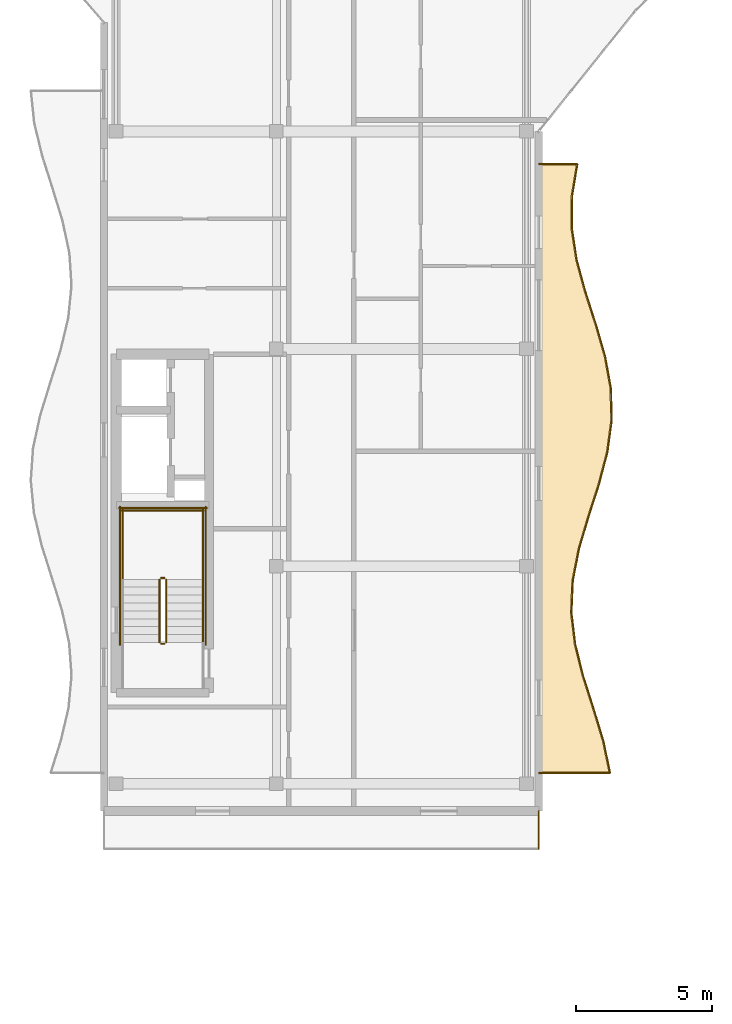
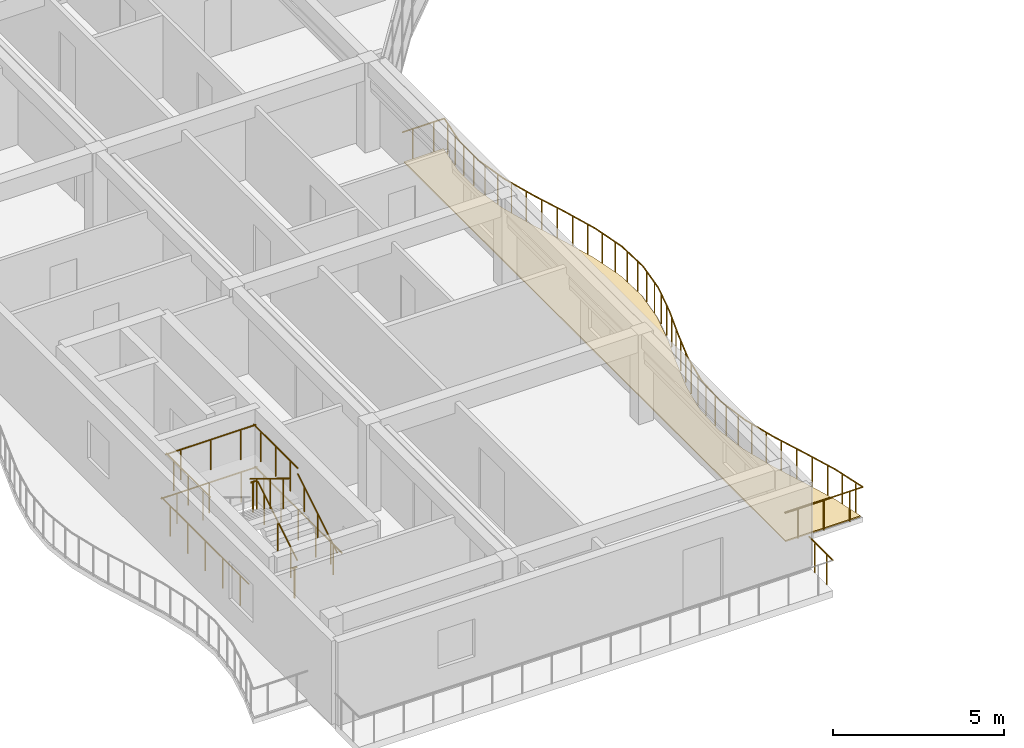
# One storey, part 32 of 39: 33 railings, 1 covering.
"""IFC4 building model written with IfcOpenShell, lengths in metres."""

from ifc_helpers import new_model, si_unit, direction, frame, origin, origin_2d, place, context, subcontext, project, spatial, polyline, circle, outline, extrude, material, layer, layer_set, type_object, element, save


model = new_model("IFC4")

# Units and contexts
model_context = context("Model", 3, precision=1e-05, world=origin(), true_north=direction((0.0, 1.0)))
body_context = subcontext(model_context, "Body", "Model", "MODEL_VIEW")
ifc_project = project(units=[si_unit("LENGTHUNIT", "METRE"), si_unit("AREAUNIT", "SQUARE_METRE"), si_unit("VOLUMEUNIT", "CUBIC_METRE"), si_unit("PLANEANGLEUNIT", "RADIAN"), si_unit("MASSUNIT", "GRAM", prefix="KILO")], contexts=[model_context])

# Site, building, storey
site_placement = place(None, origin())
site = spatial("IfcSite", under=ifc_project, at=site_placement, CompositionType="ELEMENT")
building_placement = place(site_placement, origin())
building = spatial("IfcBuilding", under=site, at=building_placement, Name="Keldmere Railside Commons", CompositionType="ELEMENT")
storey_placement = place(building_placement, frame((0.0, 0.0, 32.9599609375)))
storey = spatial("IfcBuildingStorey", under=building, at=storey_placement, Name="L10", CompositionType="ELEMENT", Elevation=32.9599609375)

# Railings
ifc_material_1 = material(Name="Steel F-24 (S235)", Category="steel")
railing_type_1 = type_object("IfcRailingType", Name="Balcony & Terrace Steel Balustrade 1100", PredefinedType="BALUSTRADE", material=ifc_material_1)
railing_1_placement = place(storey_placement, frame((120.0, 64.39990234375, 0.0)))
element("IfcRailing", 1, at=railing_1_placement, inside=storey, type_object=railing_type_1, Name="GR-1 GRD-L10-2984", PredefinedType="BALUSTRADE", context=body_context, shape_type="SweptSolid", body=[
    extrude(circle(Radius=0.02392578125, at=origin_2d()), frame((0.0, 0.0, 1.076171875), z_axis=(1.0, 0.0, 0.0), x_axis=(0.0, 1.0, 0.0)), (0.0, 0.0, 1.0), 2.626708984375),
    extrude(circle(Radius=0.02099609375, at=origin_2d()), frame((0.437744140625, 0.0, 0.0)), (0.0, 0.0, 1.0), 1.048095703125),
    extrude(circle(Radius=0.02099609375, at=origin_2d()), frame((1.3134765625, 0.0, 0.0)), (0.0, 0.0, 1.0), 1.048095703125),
    extrude(circle(Radius=0.02099609375, at=origin_2d()), frame((2.18896484375, 0.0, 0.0)), (0.0, 0.0, 1.0), 1.048095703125),
])
railing_2_placement = place(storey_placement, frame((122.626708984375, 64.39990234375, 0.0)))
element("IfcRailing", 2, at=railing_2_placement, inside=storey, type_object=railing_type_1, Name="GR-1 GRD-L10-2985", PredefinedType="BALUSTRADE", context=body_context, shape_type="SweptSolid", body=[
    extrude(circle(Radius=0.02392578125, at=origin_2d()), frame((0.0, 0.0, 1.076171875), z_axis=(-0.204917343909, 0.978779281639, 0.0), x_axis=(-0.978779281639, -0.204917343909, 0.0)), (0.0, 0.0, 1.0), 1.20458984375),
    extrude(circle(Radius=0.02099609375, at=origin_2d()), frame((-0.061767578125, 0.294677734375, 0.0)), (0.0, 0.0, 1.0), 1.048095703125),
    extrude(circle(Radius=0.02099609375, at=origin_2d()), frame((-0.18505859375, 0.88427734375, 0.0)), (0.0, 0.0, 1.0), 1.048095703125),
])
railing_3_placement = place(storey_placement, frame((122.3798828125, 65.578857421875, 0.0)))
element("IfcRailing", 3, at=railing_3_placement, inside=storey, type_object=railing_type_1, Name="GR-1 GRD-L10-2986", PredefinedType="BALUSTRADE", context=body_context, shape_type="SweptSolid", body=[
    extrude(circle(Radius=0.02392578125, at=origin_2d()), frame((0.0, 0.0, 1.076171875), z_axis=(-0.290491323198, 0.956877626004, 0.0), x_axis=(-0.956877626004, -0.290491323198, 0.0)), (0.0, 0.0, 1.0), 1.232177734375),
    extrude(circle(Radius=0.02099609375, at=origin_2d()), frame((-0.08935546875, 0.294677734375, 0.0)), (0.0, 0.0, 1.0), 1.048095703125),
    extrude(circle(Radius=0.02099609375, at=origin_2d()), frame((-0.2685546875, 0.88427734375, 0.0)), (0.0, 0.0, 1.0), 1.048095703125),
])
railing_4_placement = place(storey_placement, frame((122.02197265625, 66.7578125, 0.0)))
element("IfcRailing", 4, at=railing_4_placement, inside=storey, type_object=railing_type_1, Name="GR-1 GRD-L10-2987", PredefinedType="BALUSTRADE", context=body_context, shape_type="SweptSolid", body=[
    extrude(circle(Radius=0.02392578125, at=origin_2d()), frame((0.0, 0.0, 1.076171875), z_axis=(-0.304367729057, 0.95255461025, 0.0), x_axis=(-0.95255461025, -0.304367729057, 0.0)), (0.0, 0.0, 1.0), 1.23779296875),
    extrude(circle(Radius=0.02099609375, at=origin_2d()), frame((-0.09423828125, 0.294677734375, 0.0)), (0.0, 0.0, 1.0), 1.048095703125),
    extrude(circle(Radius=0.02099609375, at=origin_2d()), frame((-0.282470703125, 0.88427734375, 0.0)), (0.0, 0.0, 1.0), 1.048095703125),
])
railing_5_placement = place(storey_placement, frame((121.645263671875, 67.936767578125, 0.0)))
element("IfcRailing", 5, at=railing_5_placement, inside=storey, type_object=railing_type_1, Name="GR-1 GRD-L10-2988", PredefinedType="BALUSTRADE", context=body_context, shape_type="SweptSolid", body=[
    extrude(circle(Radius=0.02392578125, at=origin_2d()), frame((0.0, 0.0, 1.076171875), z_axis=(-0.24494416398, 0.969537186771, 0.0), x_axis=(-0.969537186771, -0.24494416398, 0.0)), (0.0, 0.0, 1.0), 1.216064453125),
    extrude(circle(Radius=0.02099609375, at=origin_2d()), frame((-0.074462890625, 0.294677734375, 0.0)), (0.0, 0.0, 1.0), 1.048095703125),
    extrude(circle(Radius=0.02099609375, at=origin_2d()), frame((-0.223388671875, 0.88427734375, 0.0)), (0.0, 0.0, 1.0), 1.048095703125),
])
railing_6_placement = place(storey_placement, frame((121.347412109375, 69.11572265625, 0.0)))
element("IfcRailing", 6, at=railing_6_placement, inside=storey, type_object=railing_type_1, Name="GR-1 GRD-L10-2989", PredefinedType="BALUSTRADE", context=body_context, shape_type="SweptSolid", body=[
    extrude(circle(Radius=0.02392578125, at=origin_2d()), frame((0.0, 0.0, 1.076171875), z_axis=(-0.119250616582, 0.992864185297, 0.0), x_axis=(-0.992864185297, -0.119250616582, 0.0)), (0.0, 0.0, 1.0), 1.1875),
    extrude(circle(Radius=0.02099609375, at=origin_2d()), frame((-0.035400390625, 0.294677734375, 0.0)), (0.0, 0.0, 1.0), 1.048095703125),
    extrude(circle(Radius=0.02099609375, at=origin_2d()), frame((-0.106201171875, 0.88427734375, 0.0)), (0.0, 0.0, 1.0), 1.048095703125),
])
railing_7_placement = place(storey_placement, frame((121.205810546875, 70.294677734375, 0.0)))
element("IfcRailing", 7, at=railing_7_placement, inside=storey, type_object=railing_type_1, Name="GR-1 GRD-L10-2990", PredefinedType="BALUSTRADE", context=body_context, shape_type="SweptSolid", body=[
    extrude(circle(Radius=0.02392578125, at=origin_2d()), frame((0.0, 0.0, 1.076171875), z_axis=(0.043033198945, 0.999073642825, 0.0), x_axis=(-0.999073642825, 0.043033198945, 0.0)), (0.0, 0.0, 1.0), 1.179931640625),
    extrude(circle(Radius=0.02099609375, at=origin_2d()), frame((0.0126953125, 0.294677734375, 0.0)), (0.0, 0.0, 1.0), 1.048095703125),
    extrude(circle(Radius=0.02099609375, at=origin_2d()), frame((0.0380859375, 0.88427734375, 0.0)), (0.0, 0.0, 1.0), 1.048095703125),
])
railing_8_placement = place(storey_placement, frame((121.256591796875, 71.4736328125, 0.0)))
element("IfcRailing", 8, at=railing_8_placement, inside=storey, type_object=railing_type_1, Name="GR-1 GRD-L10-2991", PredefinedType="BALUSTRADE", context=body_context, shape_type="SweptSolid", body=[
    extrude(circle(Radius=0.02392578125, at=origin_2d()), frame((0.0, 0.0, 1.076171875), z_axis=(0.191658392876, 0.98146169586, 0.0), x_axis=(-0.98146169586, 0.191658392876, 0.0)), (0.0, 0.0, 1.0), 1.201171875),
    extrude(circle(Radius=0.02099609375, at=origin_2d()), frame((0.0576171875, 0.294677734375, 0.0)), (0.0, 0.0, 1.0), 1.048095703125),
    extrude(circle(Radius=0.02099609375, at=origin_2d()), frame((0.172607421875, 0.88427734375, 0.0)), (0.0, 0.0, 1.0), 1.048095703125),
])
railing_9_placement = place(storey_placement, frame((121.48681640625, 72.652587890625, 0.0)))
element("IfcRailing", 9, at=railing_9_placement, inside=storey, type_object=railing_type_1, Name="GR-1 GRD-L10-2992", PredefinedType="BALUSTRADE", context=body_context, shape_type="SweptSolid", body=[
    extrude(circle(Radius=0.02392578125, at=origin_2d()), frame((0.0, 0.0, 1.076171875), z_axis=(0.284851963388, 0.95857152, 0.0), x_axis=(-0.95857152, 0.284851963388, 0.0)), (0.0, 0.0, 1.0), 1.22998046875),
    extrude(circle(Radius=0.02099609375, at=origin_2d()), frame((0.087646484375, 0.294677734375, 0.0)), (0.0, 0.0, 1.0), 1.048095703125),
    extrude(circle(Radius=0.02099609375, at=origin_2d()), frame((0.2626953125, 0.88427734375, 0.0)), (0.0, 0.0, 1.0), 1.048095703125),
])
railing_10_placement = place(storey_placement, frame((121.837158203125, 73.83154296875, 0.0)))
element("IfcRailing", 10, at=railing_10_placement, inside=storey, type_object=railing_type_1, Name="GR-1 GRD-L10-2993", PredefinedType="BALUSTRADE", context=body_context, shape_type="SweptSolid", body=[
    extrude(circle(Radius=0.02392578125, at=origin_2d()), frame((0.0, 0.0, 1.076171875), z_axis=(0.306334592191, 0.951923903275, 0.0), x_axis=(-0.951923903275, 0.306334592191, 0.0)), (0.0, 0.0, 1.0), 1.238525390625),
    extrude(circle(Radius=0.02099609375, at=origin_2d()), frame((0.0947265625, 0.294677734375, 0.0)), (0.0, 0.0, 1.0), 1.048095703125),
    extrude(circle(Radius=0.02099609375, at=origin_2d()), frame((0.28466796875, 0.88427734375, 0.0)), (0.0, 0.0, 1.0), 1.048095703125),
])
railing_11_placement = place(storey_placement, frame((122.216552734375, 75.010498046875, 0.0)))
element("IfcRailing", 11, at=railing_11_placement, inside=storey, type_object=railing_type_1, Name="GR-1 GRD-L10-2994", PredefinedType="BALUSTRADE", context=body_context, shape_type="SweptSolid", body=[
    extrude(circle(Radius=0.02392578125, at=origin_2d()), frame((0.0, 0.0, 1.076171875), z_axis=(0.25472000197, 0.967014850246, 0.0), x_axis=(-0.967014850246, 0.25472000197, 0.0)), (0.0, 0.0, 1.0), 1.21923828125),
    extrude(circle(Radius=0.02099609375, at=origin_2d()), frame((0.07763671875, 0.294677734375, 0.0)), (0.0, 0.0, 1.0), 1.048095703125),
    extrude(circle(Radius=0.02099609375, at=origin_2d()), frame((0.23291015625, 0.88427734375, 0.0)), (0.0, 0.0, 1.0), 1.048095703125),
])
railing_12_placement = place(storey_placement, frame((122.527099609375, 76.189453125, 0.0)))
element("IfcRailing", 12, at=railing_12_placement, inside=storey, type_object=railing_type_1, Name="GR-1 GRD-L10-2995", PredefinedType="BALUSTRADE", context=body_context, shape_type="SweptSolid", body=[
    extrude(circle(Radius=0.02392578125, at=origin_2d()), frame((0.0, 0.0, 1.076171875), z_axis=(0.13521392142, 0.990816428737, 0.0), x_axis=(-0.990816428737, 0.13521392142, 0.0)), (0.0, 0.0, 1.0), 1.18994140625),
    extrude(circle(Radius=0.02099609375, at=origin_2d()), frame((0.040283203125, 0.294677734375, 0.0)), (0.0, 0.0, 1.0), 1.048095703125),
    extrude(circle(Radius=0.02099609375, at=origin_2d()), frame((0.12060546875, 0.88427734375, 0.0)), (0.0, 0.0, 1.0), 1.048095703125),
])
railing_13_placement = place(storey_placement, frame((122.68798828125, 77.368408203125, 0.0)))
element("IfcRailing", 13, at=railing_13_placement, inside=storey, type_object=railing_type_1, Name="GR-1 GRD-L10-2996", PredefinedType="BALUSTRADE", context=body_context, shape_type="SweptSolid", body=[
    extrude(circle(Radius=0.02392578125, at=origin_2d()), frame((0.0, 0.0, 1.076171875), z_axis=(-0.025255971026, 0.999681017089, 0.0), x_axis=(-0.999681017089, -0.025255971026, 0.0)), (0.0, 0.0, 1.0), 1.179443359375),
    extrude(circle(Radius=0.02099609375, at=origin_2d()), frame((-0.00732421875, 0.294677734375, 0.0)), (0.0, 0.0, 1.0), 1.048095703125),
    extrude(circle(Radius=0.02099609375, at=origin_2d()), frame((-0.0224609375, 0.88427734375, 0.0)), (0.0, 0.0, 1.0), 1.048095703125),
])
railing_14_placement = place(storey_placement, frame((122.658203125, 78.54736328125, 0.0)))
element("IfcRailing", 14, at=railing_14_placement, inside=storey, type_object=railing_type_1, Name="GR-1 GRD-L10-2997", PredefinedType="BALUSTRADE", context=body_context, shape_type="SweptSolid", body=[
    extrude(circle(Radius=0.02392578125, at=origin_2d()), frame((0.0, 0.0, 1.076171875), z_axis=(-0.17809637705, 0.984013048939, 0.0), x_axis=(-0.984013048939, -0.17809637705, 0.0)), (0.0, 0.0, 1.0), 1.197998046875),
    extrude(circle(Radius=0.02099609375, at=origin_2d()), frame((-0.05322265625, 0.294677734375, 0.0)), (0.0, 0.0, 1.0), 1.048095703125),
    extrude(circle(Radius=0.02099609375, at=origin_2d()), frame((-0.16015625, 0.88427734375, 0.0)), (0.0, 0.0, 1.0), 1.048095703125),
])
railing_15_placement = place(storey_placement, frame((122.44482421875, 79.726318359375, 0.0)))
element("IfcRailing", 15, at=railing_15_placement, inside=storey, type_object=railing_type_1, Name="GR-1 GRD-L10-2998", PredefinedType="BALUSTRADE", context=body_context, shape_type="SweptSolid", body=[
    extrude(circle(Radius=0.02392578125, at=origin_2d()), frame((0.0, 0.0, 1.076171875), z_axis=(-0.278082225796, 0.960557273512, 0.0), x_axis=(-0.960557273512, -0.278082225796, 0.0)), (0.0, 0.0, 1.0), 1.227294921875),
    extrude(circle(Radius=0.02099609375, at=origin_2d()), frame((-0.08544921875, 0.294677734375, 0.0)), (0.0, 0.0, 1.0), 1.048095703125),
    extrude(circle(Radius=0.02099609375, at=origin_2d()), frame((-0.255859375, 0.88427734375, 0.0)), (0.0, 0.0, 1.0), 1.048095703125),
])
railing_16_placement = place(storey_placement, frame((122.103515625, 80.9052734375, 0.0)))
element("IfcRailing", 16, at=railing_16_placement, inside=storey, type_object=railing_type_1, Name="GR-1 GRD-L10-2999", PredefinedType="BALUSTRADE", context=body_context, shape_type="SweptSolid", body=[
    extrude(circle(Radius=0.02392578125, at=origin_2d()), frame((0.0, 0.0, 1.076171875), z_axis=(-0.307584194607, 0.951520868519, 0.0), x_axis=(-0.951520868519, -0.307584194607, 0.0)), (0.0, 0.0, 1.0), 1.239013671875),
    extrude(circle(Radius=0.02099609375, at=origin_2d()), frame((-0.09521484375, 0.294677734375, 0.0)), (0.0, 0.0, 1.0), 1.048095703125),
    extrude(circle(Radius=0.02099609375, at=origin_2d()), frame((-0.285888671875, 0.88427734375, 0.0)), (0.0, 0.0, 1.0), 1.048095703125),
])
railing_17_placement = place(storey_placement, frame((121.722412109375, 82.084228515625, 0.0)))
element("IfcRailing", 17, at=railing_17_placement, inside=storey, type_object=railing_type_1, Name="GR-1 GRD-L10-3000", PredefinedType="BALUSTRADE", context=body_context, shape_type="SweptSolid", body=[
    extrude(circle(Radius=0.02392578125, at=origin_2d()), frame((0.0, 0.0, 1.076171875), z_axis=(-0.263489255377, 0.964662330715, 0.0), x_axis=(-0.964662330715, -0.263489255377, 0.0)), (0.0, 0.0, 1.0), 1.22216796875),
    extrude(circle(Radius=0.02099609375, at=origin_2d()), frame((-0.08056640625, 0.294677734375, 0.0)), (0.0, 0.0, 1.0), 1.048095703125),
    extrude(circle(Radius=0.02099609375, at=origin_2d()), frame((-0.241455078125, 0.88427734375, 0.0)), (0.0, 0.0, 1.0), 1.048095703125),
])
railing_18_placement = place(storey_placement, frame((121.400390625, 83.26318359375, 0.0)))
element("IfcRailing", 18, at=railing_18_placement, inside=storey, type_object=railing_type_1, Name="GR-1 GRD-L10-3001", PredefinedType="BALUSTRADE", context=body_context, shape_type="SweptSolid", body=[
    extrude(circle(Radius=0.02392578125, at=origin_2d()), frame((0.0, 0.0, 1.076171875), z_axis=(-0.150872586631, 0.98855321688, 0.0), x_axis=(-0.98855321688, -0.150872586631, 0.0)), (0.0, 0.0, 1.0), 1.192626953125),
    extrude(circle(Radius=0.02099609375, at=origin_2d()), frame((-0.044921875, 0.294677734375, 0.0)), (0.0, 0.0, 1.0), 1.048095703125),
    extrude(circle(Radius=0.02099609375, at=origin_2d()), frame((-0.135009765625, 0.88427734375, 0.0)), (0.0, 0.0, 1.0), 1.048095703125),
])
railing_19_placement = place(storey_placement, frame((121.220458984375, 84.442138671875, 0.0)))
element("IfcRailing", 19, at=railing_19_placement, inside=storey, type_object=railing_type_1, Name="GR-1 GRD-L10-3002", PredefinedType="BALUSTRADE", context=body_context, shape_type="SweptSolid", body=[
    extrude(circle(Radius=0.02392578125, at=origin_2d()), frame((0.0, 0.0, 1.076171875), z_axis=(0.007661816933, 0.99997064785, 0.0), x_axis=(-0.99997064785, 0.007661816933, 0.0)), (0.0, 0.0, 1.0), 1.178955078125),
    extrude(circle(Radius=0.02099609375, at=origin_2d()), frame((0.002197265625, 0.294677734375, 0.0)), (0.0, 0.0, 1.0), 1.048095703125),
    extrude(circle(Radius=0.02099609375, at=origin_2d()), frame((0.0068359375, 0.88427734375, 0.0)), (0.0, 0.0, 1.0), 1.048095703125),
])
railing_20_placement = place(storey_placement, frame((121.2294921875, 85.62109375, 0.0)))
element("IfcRailing", 20, at=railing_20_placement, inside=storey, type_object=railing_type_1, Name="GR-1 GRD-L10-3003", PredefinedType="BALUSTRADE", context=body_context, shape_type="SweptSolid", body=[
    extrude(circle(Radius=0.02392578125, at=origin_2d()), frame((0.0, 0.0, 1.076171875), z_axis=(0.16343815799, 0.986553581167, 0.0), x_axis=(-0.986553581167, 0.16343815799, 0.0)), (0.0, 0.0, 1.0), 1.195068359375),
    extrude(circle(Radius=0.02099609375, at=origin_2d()), frame((0.048828125, 0.294677734375, 0.0)), (0.0, 0.0, 1.0), 1.048095703125),
    extrude(circle(Radius=0.02099609375, at=origin_2d()), frame((0.146484375, 0.88427734375, 0.0)), (0.0, 0.0, 1.0), 1.048095703125),
])
railing_21_placement = place(storey_placement, frame((121.4248046875, 86.800048828125, 0.0)))
element("IfcRailing", 21, at=railing_21_placement, inside=storey, type_object=railing_type_1, Name="GR-1 GRD-L10-3004", PredefinedType="BALUSTRADE", context=body_context, shape_type="SweptSolid", body=[
    extrude(circle(Radius=0.02392578125, at=origin_2d()), frame((0.0, 0.0, 1.076171875), z_axis=(-1.0, 0.0, 0.0), x_axis=(0.0, -1.0, 0.0)), (0.0, 0.0, 1.0), 1.4248046875),
    extrude(circle(Radius=0.02099609375, at=origin_2d()), frame((-0.356201171875, 0.0, 0.0)), (0.0, 0.0, 1.0), 1.048095703125),
    extrude(circle(Radius=0.02099609375, at=origin_2d()), frame((-1.068603515625, 0.0, 0.0)), (0.0, 0.0, 1.0), 1.048095703125),
])
railing_22_placement = place(storey_placement, frame((120.0, 61.60009765625, 0.0)))
element("IfcRailing", 22, at=railing_22_placement, inside=storey, type_object=railing_type_1, Name="GR-1 GRD-L10-3052", PredefinedType="BALUSTRADE", context=body_context, shape_type="SweptSolid", body=[
    extrude(circle(Radius=0.02392578125, at=origin_2d()), frame((0.0, 0.0, 1.076171875), z_axis=(0.0, 1.0, 0.0), x_axis=(-1.0, 0.0, 0.0)), (0.0, 0.0, 1.0), 1.39990234375),
    extrude(circle(Radius=0.02099609375, at=origin_2d()), frame((0.0, 0.35009765625, 0.0)), (0.0, 0.0, 1.0), 1.048095703125),
    extrude(circle(Radius=0.02099609375, at=origin_2d()), frame((0.0, 1.0498046875, 0.0)), (0.0, 0.0, 1.0), 1.048095703125),
])
railing_type_2 = type_object("IfcRailingType", Name="Stair Well Steel Guardrail 1100", PredefinedType="BALUSTRADE", material=ifc_material_1)
railing_23_placement = place(storey_placement, frame((106.300048828125, 69.199951171875, 0.177734375)))
element("IfcRailing", 23, at=railing_23_placement, inside=storey, type_object=railing_type_2, Name="L10 ST-B1 stair guard 1", PredefinedType="BALUSTRADE", context=body_context, shape_type="SweptSolid", body=[
    extrude(circle(Radius=0.02392578125, at=origin_2d()), frame((0.0, 0.0, 1.076171875), z_axis=(0.0, 0.852538067394, 0.522665135287), x_axis=(-1.0, 0.0, 0.0)), (0.0, 0.0, 1.0), 2.721435546875),
    extrude(circle(Radius=0.02099609375, at=origin_2d()), frame((0.0, 0.38671875, 0.237060546875)), (0.0, 0.0, 1.0), 1.048095703125),
    extrude(circle(Radius=0.02099609375, at=origin_2d()), frame((0.0, 1.16015625, 0.711181640625)), (0.0, 0.0, 1.0), 1.048095703125),
    extrude(circle(Radius=0.02099609375, at=origin_2d()), frame((0.0, 1.933349609375, 1.185302734375)), (0.0, 0.0, 1.0), 1.048095703125),
])
railing_24_placement = place(storey_placement, frame((106.25, 71.570068359375, 1.60009765625)))
element("IfcRailing", 24, at=railing_24_placement, inside=storey, type_object=railing_type_2, Name="L10 ST-B1 stair guard 2", PredefinedType="BALUSTRADE", context=body_context, shape_type="SweptSolid", body=[
    extrude(circle(Radius=0.02392578125, at=origin_2d()), frame((0.0, 0.0, 1.076171875), z_axis=(-1.0, 0.0, 0.0), x_axis=(0.0, -1.0, 0.0)), (0.0, 0.0, 1.0), 0.14990234375),
    extrude(circle(Radius=0.02099609375, at=origin_2d()), frame((-0.074951171875, 0.0, 0.0)), (0.0, 0.0, 1.0), 1.048095703125),
])
for number, where, name in (
    (25, (107.64990234375, 71.52001953125, 1.60009765625), "L10 ST-B1 stair guard 3"),
    (26, (104.699951171875, 71.52001953125, 1.60009765625), "L10 ST-B1 stair guard 4"),
):
    element("IfcRailing", number, at=place(storey_placement, frame(where)), inside=storey, type_object=railing_type_2, Name=name, PredefinedType="BALUSTRADE", context=body_context, shape_type="SweptSolid", body=[
        extrude(circle(Radius=0.02392578125, at=origin_2d()), frame((0.0, 0.0, 1.076171875), z_axis=(0.0, 1.0, 0.0), x_axis=(-1.0, 0.0, 0.0)), (0.0, 0.0, 1.0), 2.580078125),
        extrude(circle(Radius=0.02099609375, at=origin_2d()), frame((0.0, 0.429931640625, 0.0)), (0.0, 0.0, 1.0), 1.048095703125),
        extrude(circle(Radius=0.02099609375, at=origin_2d()), frame((0.0, 1.2900390625, 0.0)), (0.0, 0.0, 1.0), 1.048095703125),
        extrude(circle(Radius=0.02099609375, at=origin_2d()), frame((0.0, 2.150146484375, 0.0)), (0.0, 0.0, 1.0), 1.048095703125),
    ])
railing_25_placement = place(storey_placement, frame((107.699951171875, 74.050048828125, 1.60009765625)))
element("IfcRailing", 27, at=railing_25_placement, inside=storey, type_object=railing_type_2, Name="L10 ST-B1 stair guard 5", PredefinedType="BALUSTRADE", context=body_context, shape_type="SweptSolid", body=[
    extrude(circle(Radius=0.02392578125, at=origin_2d()), frame((0.0, 0.0, 1.076171875), z_axis=(-1.0, 0.0, 0.0), x_axis=(0.0, -1.0, 0.0)), (0.0, 0.0, 1.0), 3.050048828125),
    extrude(circle(Radius=0.02099609375, at=origin_2d()), frame((-0.50830078125, 0.0, 0.0)), (0.0, 0.0, 1.0), 1.048095703125),
    extrude(circle(Radius=0.02099609375, at=origin_2d()), frame((-1.52490234375, 0.0, 0.0)), (0.0, 0.0, 1.0), 1.048095703125),
    extrude(circle(Radius=0.02099609375, at=origin_2d()), frame((-2.541748046875, 0.0, 0.0)), (0.0, 0.0, 1.0), 1.048095703125),
])
railing_26_placement = place(storey_placement, frame((106.050048828125, 71.52001953125, 1.77783203125)))
element("IfcRailing", 28, at=railing_26_placement, inside=storey, type_object=railing_type_2, Name="L10 ST-B1 stair guard 6", PredefinedType="BALUSTRADE", context=body_context, shape_type="SweptSolid", body=[
    extrude(circle(Radius=0.02392578125, at=origin_2d()), frame((0.0, 0.0, 1.076171875), z_axis=(0.0, -0.852578041948, 0.522599925744), x_axis=(1.0, 0.0, 0.0)), (0.0, 0.0, 1.0), 2.72119140625),
    extrude(circle(Radius=0.02099609375, at=origin_2d()), frame((0.0, -0.38671875, 0.237060546875)), (0.0, 0.0, 1.0), 1.048095703125),
    extrude(circle(Radius=0.02099609375, at=origin_2d()), frame((0.0, -1.16015625, 0.7109375)), (0.0, 0.0, 1.0), 1.048095703125),
    extrude(circle(Radius=0.02099609375, at=origin_2d()), frame((0.0, -1.933349609375, 1.18505859375)), (0.0, 0.0, 1.0), 1.048095703125),
])
railing_27_placement = place(storey_placement, frame((106.25, 69.14990234375, 0.0)))
element("IfcRailing", 29, at=railing_27_placement, inside=storey, type_object=railing_type_2, Name="L10 ST-B1 stair guard 7", PredefinedType="BALUSTRADE", context=body_context, shape_type="SweptSolid", body=[
    extrude(circle(Radius=0.02392578125, at=origin_2d()), frame((0.0, 0.0, 1.076171875), z_axis=(-1.0, 0.0, 0.0), x_axis=(0.0, -1.0, 0.0)), (0.0, 0.0, 1.0), 0.14990234375),
    extrude(circle(Radius=0.02099609375, at=origin_2d()), frame((-0.074951171875, 0.0, 0.0)), (0.0, 0.0, 1.0), 1.048095703125),
])
for number, where, name in (
    (30, (107.75, 69.10009765625, 0.0), "L10 ST-B1 stair guard 10"),
    (31, (104.60009765625, 69.10009765625, 0.0), "L10 ST-B1 stair guard 11"),
):
    element("IfcRailing", number, at=place(storey_placement, frame(where)), inside=storey, type_object=railing_type_2, Name=name, PredefinedType="BALUSTRADE", context=body_context, shape_type="SweptSolid", body=[
        extrude(circle(Radius=0.02392578125, at=origin_2d()), frame((0.0, 0.0, 1.076171875), z_axis=(0.0, 1.0, 0.0), x_axis=(-1.0, 0.0, 0.0)), (0.0, 0.0, 1.0), 5.099853515625),
        extrude(circle(Radius=0.02099609375, at=origin_2d()), frame((0.0, 0.510009765625, 0.0)), (0.0, 0.0, 1.0), 1.048095703125),
        extrude(circle(Radius=0.02099609375, at=origin_2d()), frame((0.0, 1.530029296875, 0.0)), (0.0, 0.0, 1.0), 1.048095703125),
        extrude(circle(Radius=0.02099609375, at=origin_2d()), frame((0.0, 2.5498046875, 0.0)), (0.0, 0.0, 1.0), 1.048095703125),
        extrude(circle(Radius=0.02099609375, at=origin_2d()), frame((0.0, 3.56982421875, 0.0)), (0.0, 0.0, 1.0), 1.048095703125),
        extrude(circle(Radius=0.02099609375, at=origin_2d()), frame((0.0, 4.58984375, 0.0)), (0.0, 0.0, 1.0), 1.048095703125),
    ])
railing_28_placement = place(storey_placement, frame((107.800048828125, 74.14990234375, 0.0)))
element("IfcRailing", 32, at=railing_28_placement, inside=storey, type_object=railing_type_2, Name="L10 ST-B1 stair guard 12", PredefinedType="BALUSTRADE", context=body_context, shape_type="SweptSolid", body=[
    extrude(circle(Radius=0.02392578125, at=origin_2d()), frame((0.0, 0.0, 1.076171875), z_axis=(-1.0, 0.0, 0.0), x_axis=(0.0, -1.0, 0.0)), (0.0, 0.0, 1.0), 3.25),
    extrude(circle(Radius=0.02099609375, at=origin_2d()), frame((-0.541748046875, 0.0, 0.0)), (0.0, 0.0, 1.0), 1.048095703125),
    extrude(circle(Radius=0.02099609375, at=origin_2d()), frame((-1.625, 0.0, 0.0)), (0.0, 0.0, 1.0), 1.048095703125),
    extrude(circle(Radius=0.02099609375, at=origin_2d()), frame((-2.708251953125, 0.0, 0.0)), (0.0, 0.0, 1.0), 1.048095703125),
])
railing_type_3 = type_object("IfcRailingType", Name="Wall-Mounted Tubular Steel Handrail 900", PredefinedType="HANDRAIL", material=ifc_material_1)
railing_29_placement = place(storey_placement, frame((107.64990234375, 69.199951171875, 0.177734375)))
element("IfcRailing", 33, at=railing_29_placement, inside=storey, type_object=railing_type_3, Name="L10 ST-B1 stair handrail 1", PredefinedType="HANDRAIL", context=body_context, shape_type="SweptSolid", body=[
    extrude(circle(Radius=0.02392578125, at=origin_2d()), frame((0.0, 0.0, 0.8759765625), z_axis=(0.0, 0.852538067394, 0.522665135287), x_axis=(-1.0, 0.0, 0.0)), (0.0, 0.0, 1.0), 2.721435546875),
    extrude(circle(Radius=0.02099609375, at=origin_2d()), frame((0.0, 0.38671875, 0.237060546875)), (0.0, 0.0, 1.0), 0.847900390625),
    extrude(circle(Radius=0.02099609375, at=origin_2d()), frame((0.0, 1.16015625, 0.711181640625)), (0.0, 0.0, 1.0), 0.847900390625),
    extrude(circle(Radius=0.02099609375, at=origin_2d()), frame((0.0, 1.933349609375, 1.185302734375)), (0.0, 0.0, 1.0), 0.847900390625),
])

# Covering
ifc_material_2 = material(Name="White Precast Concrete C35/45", Category="concrete")
ifc_layer = layer(ifc_material_2, 0.044921875, Name="White Architectural Balcony Ribbon Cladding 45")
ifc_layer_set = layer_set([ifc_layer], Name="White Precast Concrete C35/45")
covering_type = type_object("IfcCoveringType", Name="White Architectural Balcony Ribbon Cladding 45", PredefinedType="FLOORING", material=ifc_layer_set)
covering_placement = place(storey_placement, origin())
element("IfcCovering", 34, at=covering_placement, inside=storey, type_object=covering_type, Name="CLG-WB B L10 CE White Balcony Ribbon", PredefinedType="FLOORING", context=body_context, shape_type="SweptSolid", body=[
    extrude(outline(polyline([(122.341064453125, 65.569091796875), (121.983642578125, 66.74609375), (121.607177734375, 67.924560546875), (121.6064453125, 67.927001953125), (121.30859375, 69.10595703125), (121.307861328125, 69.111083984375), (121.166015625, 70.289794921875), (121.165771484375, 70.293212890625), (121.165771484375, 70.29638671875), (121.216552734375, 71.475341796875), (121.216796875, 71.478515625), (121.21728515625, 71.4814453125), (121.447509765625, 72.660400390625), (121.448486328125, 72.6640625), (121.798828125, 73.843017578125), (121.799072265625, 73.843994140625), (122.177978515625, 75.021728515625), (122.48779296875, 76.197265625), (122.64794921875, 77.37060546875), (122.6181640625, 78.543212890625), (122.406005859375, 79.71728515625), (122.065185546875, 80.8935546875), (121.684326171875, 82.072021484375), (121.683837890625, 82.07373046875), (121.36181640625, 83.252685546875), (121.36083984375, 83.257080078125), (121.180908203125, 84.43603515625), (121.180419921875, 84.439208984375), (121.180419921875, 84.4423828125), (121.189453125, 85.621337890625), (121.189453125, 85.62451171875), (121.18994140625, 85.627685546875), (121.377685546875, 86.760009765625), (120.0400390625, 86.760009765625), (120.0400390625, 64.43994140625), (122.577392578125, 64.43994140625), (122.341064453125, 65.569091796875)])), origin(), (0.0, 0.0, 1.0), 0.044921875),
])

save(model, "model.ifc")
